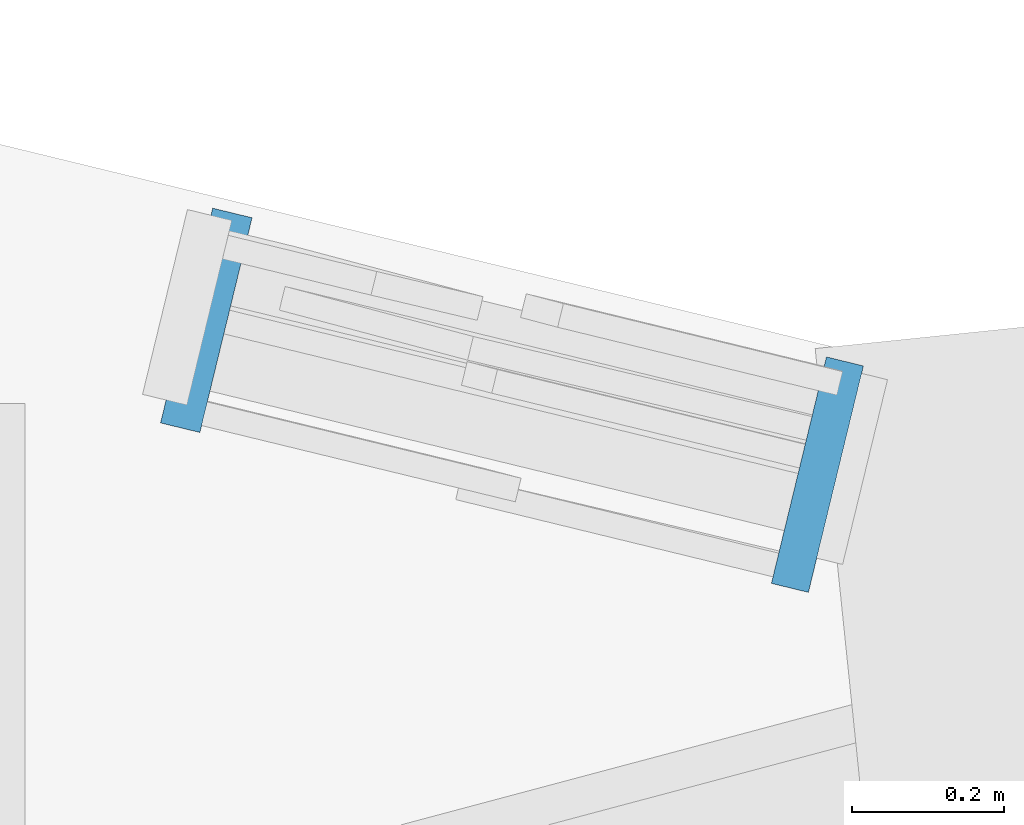
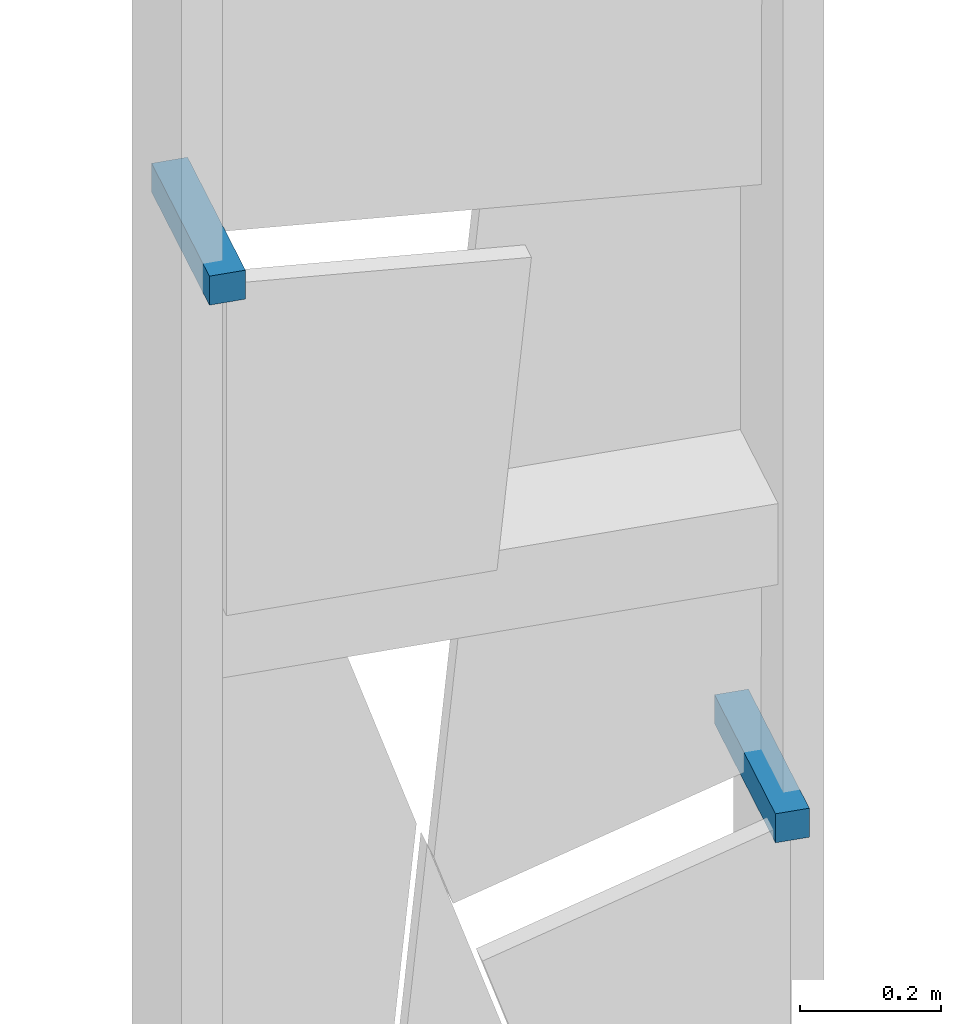
# One storey, part 30 of 33: 2 discrete accessories, 1 element without a shape of its own.
"""IFC4 building model written with IfcOpenShell, lengths in metres."""

from ifc_helpers import new_model, si_unit, direction, frame, origin, origin_2d, place, context, subcontext, project, spatial, rectangle, extrude, material, layer, layer_set, type_object, element, aggregate, save


model = new_model("IFC4")

# Units and contexts
model_context = context("Model", 3, precision=1e-05, world=origin(), true_north=direction((0.0, 1.0)))
body_context = subcontext(model_context, "Body", "Model", "MODEL_VIEW")
ifc_project = project(units=[si_unit("LENGTHUNIT", "METRE"), si_unit("AREAUNIT", "SQUARE_METRE"), si_unit("VOLUMEUNIT", "CUBIC_METRE"), si_unit("PLANEANGLEUNIT", "RADIAN"), si_unit("MASSUNIT", "GRAM", prefix="KILO")], contexts=[model_context])

# Site, building, storey
site_placement = place(None, origin())
site = spatial("IfcSite", under=ifc_project, at=site_placement, CompositionType="ELEMENT")
building_placement = place(site_placement, origin())
building = spatial("IfcBuilding", under=site, at=building_placement, Name="Mestral Congress Tower", CompositionType="ELEMENT")
storey_placement = place(building_placement, frame((0.0, 0.0, 134.39990234375)))
storey = spatial("IfcBuildingStorey", under=building, at=storey_placement, Name="L32", CompositionType="ELEMENT", Elevation=134.39990234375)

# Curtain wall, discrete accessories
ifc_material_1 = material(Name="Clear low-emissivity double glazing", Category="glass")
curtain_wall_type = type_object("IfcCurtainWallType", Name="Facade sky lobby curtain wall", PredefinedType="USERDEFINED", material=ifc_material_1)
curtain_wall_placement = place(storey_placement, origin())
curtain_wall = element("IfcCurtainWall", 1, at=curtain_wall_placement, inside=storey, type_object=curtain_wall_type, Name="Facade sky lobby curtain wall corner 2", ObjectType="CURTAIN WALL", PredefinedType="USERDEFINED")
ifc_material_2 = material(Name="Steel S355", Category="steel")
ifc_layer = layer(ifc_material_2, 0.050048828125)
ifc_layer_set = layer_set([ifc_layer], Name="Steel S355")
discrete_accessory_type = type_object("IfcDiscreteAccessoryType", Name="Facade bracket", PredefinedType="BRACKET", material=ifc_layer_set)
discrete_accessory_1_placement = place(storey_placement, frame((2.3916015625, 34.75732421875, 2.73681640625), z_axis=(0.0, 0.0, 1.0), x_axis=(-0.971721646141, 0.236129291746, 0.0)))
discrete_accessory_1 = element("IfcDiscreteAccessory", 2, at=discrete_accessory_1_placement, type_object=discrete_accessory_type, Name="Facade bracket", PredefinedType="BRACKET", context=body_context, shape_type="SweptSolid", body=[
    extrude(rectangle(XDim=0.050048828125, YDim=0.306396484375, at=origin_2d()), origin(), (0.0, 0.0, 1.0), 0.050048828125),
])
discrete_accessory_2_placement = place(storey_placement, frame((1.588134765625, 34.960205078125, 3.81884765625), z_axis=(0.0, 0.0, 1.0), x_axis=(-0.971740188695, 0.236052972178, 0.0)))
discrete_accessory_2 = element("IfcDiscreteAccessory", 3, at=discrete_accessory_2_placement, type_object=discrete_accessory_type, Name="Facade bracket", PredefinedType="BRACKET", context=body_context, shape_type="SweptSolid", body=[
    extrude(rectangle(XDim=0.05322265625, YDim=0.29052734375, at=origin_2d()), origin(), (0.0, 0.0, 1.0), 0.050048828125),
])
aggregate(curtain_wall, [discrete_accessory_1, discrete_accessory_2])

save(model, "model.ifc")
